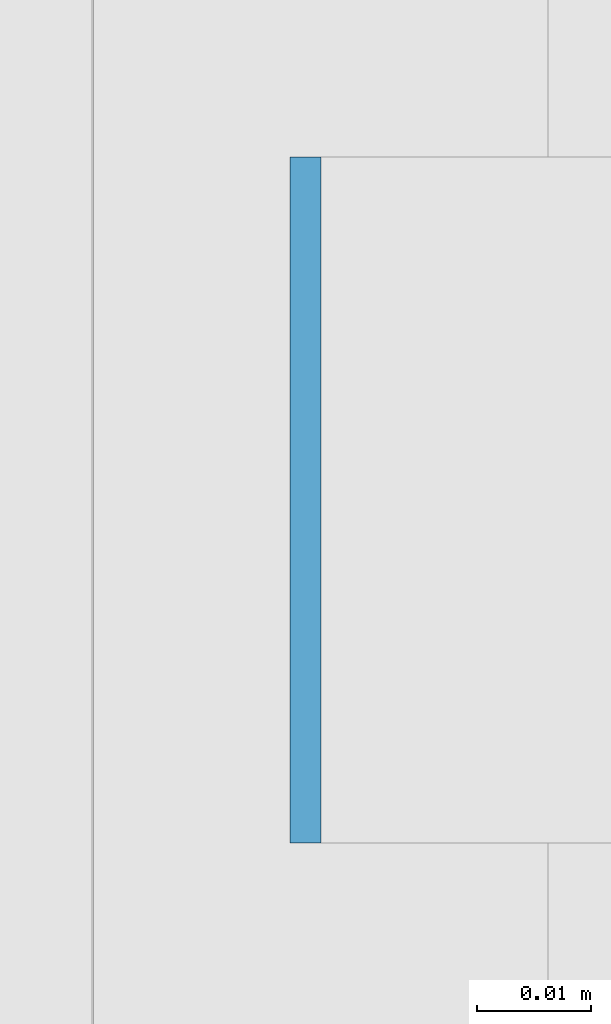
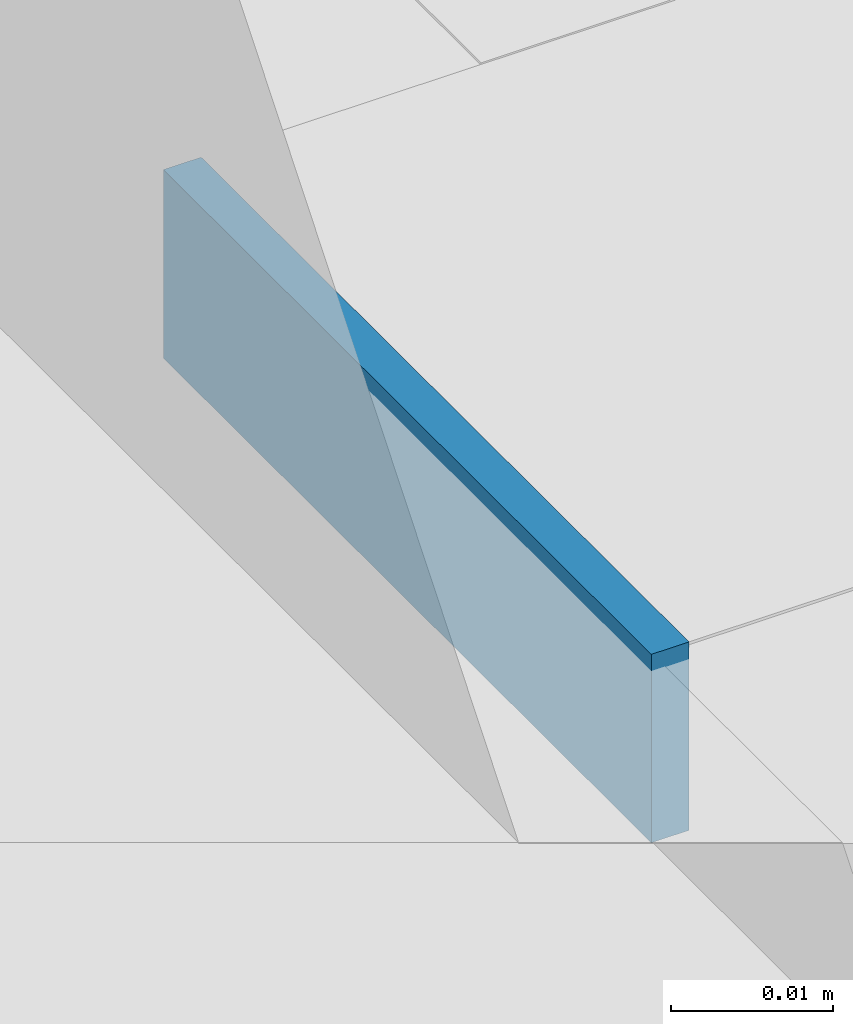
# One storey, part 511 of 646: 1 discrete accessory.
"""IFC4 building model written with IfcOpenShell, lengths in metres."""

from ifc_helpers import new_model, si_unit, direction, frame, origin, origin_2d, place, context, subcontext, project, spatial, rectangle, extrude, material, type_object, element, save


model = new_model("IFC4")

# Units and contexts
model_context = context("Model", 3, precision=1e-05, world=origin(), true_north=direction((0.0, 1.0)))
body_context = subcontext(model_context, "Body", "Model", "MODEL_VIEW")
ifc_project = project(units=[si_unit("LENGTHUNIT", "METRE"), si_unit("AREAUNIT", "SQUARE_METRE"), si_unit("VOLUMEUNIT", "CUBIC_METRE"), si_unit("PLANEANGLEUNIT", "RADIAN"), si_unit("MASSUNIT", "GRAM", prefix="KILO")], contexts=[model_context])

# Site, building, storey
site_placement = place(None, origin())
site = spatial("IfcSite", under=ifc_project, at=site_placement, CompositionType="ELEMENT")
building_placement = place(site_placement, origin())
building = spatial("IfcBuilding", under=site, at=building_placement, Name="Silverbay Arena", CompositionType="ELEMENT")
storey_placement = place(building_placement, frame((0.0, 0.0, 33.5)))
storey = spatial("IfcBuildingStorey", under=building, at=storey_placement, Name="L05", CompositionType="ELEMENT", Elevation=33.5)

# Discrete accessory
ifc_material = material(Name="Steel S355", Category="steel")
discrete_accessory_type = type_object("IfcDiscreteAccessoryType", Name="Steel bracket plate", PredefinedType="BRACKET", material=ifc_material)
discrete_accessory_placement = place(storey_placement, frame((207.128662109375, 73.28564453125, 12.98583984375), z_axis=(0.0, 0.0, 1.0), x_axis=(1.0, 0.0, 0.0)))
element("IfcDiscreteAccessory", 1, at=discrete_accessory_placement, inside=storey, type_object=discrete_accessory_type, Name="Curtain wall packing plate", PredefinedType="BRACKET", context=body_context, shape_type="SweptSolid", body=[
    extrude(rectangle(XDim=0.002685546875, YDim=0.06005859375, at=origin_2d()), origin(), (0.0, 0.0, 1.0), 0.01416015625),
])

save(model, "model.ifc")
